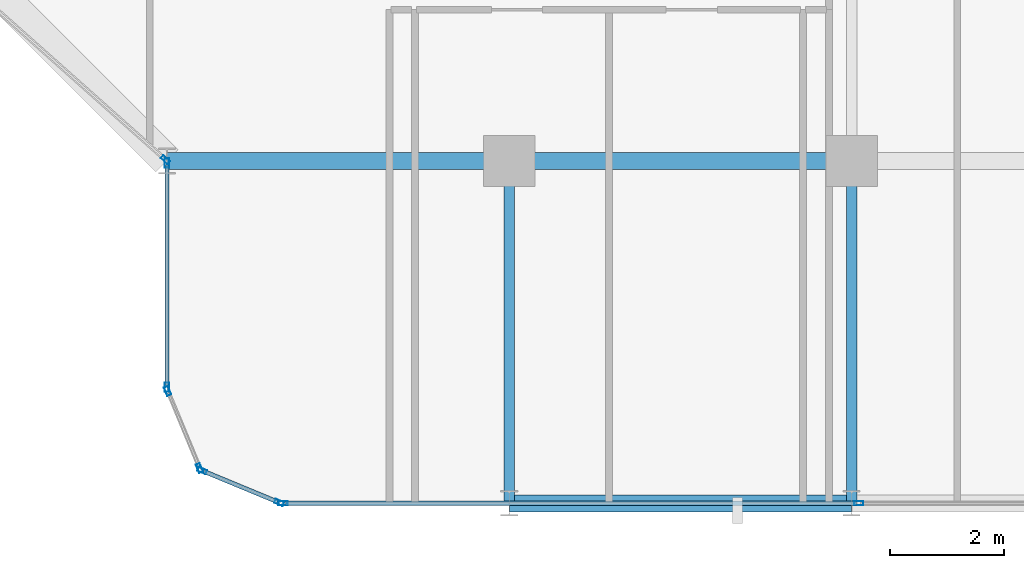
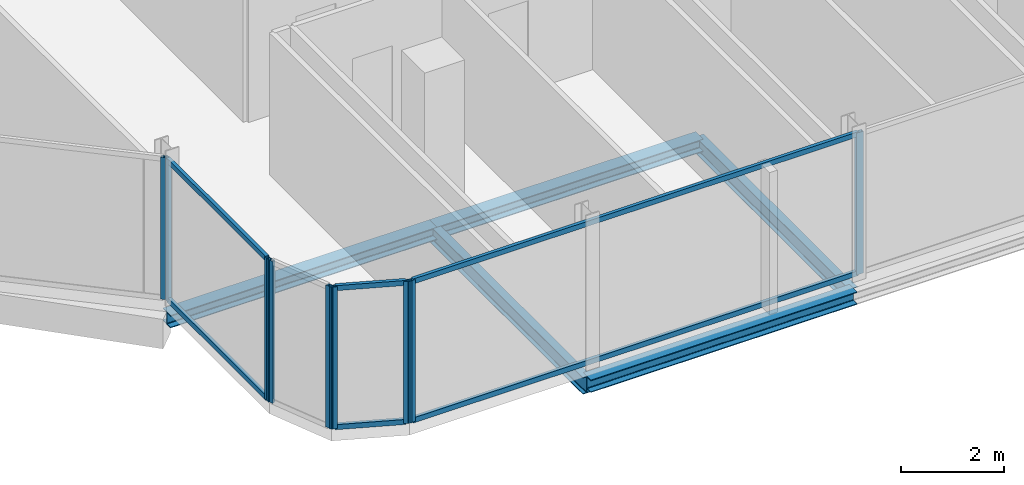
# One storey, part 6 of 29: 15 members, 5 beams, 5 elements without a shape of their own.
"""IFC4 building model written with IfcOpenShell, lengths in metres."""

from ifc_helpers import new_model, si_unit, direction, frame, origin, origin_2d, place, context, subcontext, project, spatial, hollow_rectangle, i_section, extrude, material, layer, layer_set, material_profile, profile_set, type_object, element, aggregate, save


model = new_model("IFC4")

# Units and contexts
model_context = context("Model", 3, precision=1e-05, world=origin(), true_north=direction((0.0, 1.0)))
body_context = subcontext(model_context, "Body", "Model", "MODEL_VIEW")
ifc_project = project(units=[si_unit("LENGTHUNIT", "METRE"), si_unit("AREAUNIT", "SQUARE_METRE"), si_unit("VOLUMEUNIT", "CUBIC_METRE"), si_unit("PLANEANGLEUNIT", "RADIAN"), si_unit("MASSUNIT", "GRAM", prefix="KILO")], contexts=[model_context])

# Site, building, storey
site_placement = place(None, origin())
site = spatial("IfcSite", under=ifc_project, at=site_placement, CompositionType="ELEMENT")
building_placement = place(site_placement, origin())
building = spatial("IfcBuilding", under=site, at=building_placement, Name="Keshet Zoharim Tower", CompositionType="ELEMENT")
storey_placement = place(building_placement, frame((0.0, 0.0, 180.199951171875)))
storey = spatial("IfcBuildingStorey", under=building, at=storey_placement, Name="L44", CompositionType="ELEMENT", Elevation=180.199951171875)

# Beams
ifc_material_1 = material(Name="Steel S355", Category="steel")
ifc_material_profile_1 = material_profile(ifc_material_1, i_section(OverallWidth=0.300048828125, OverallDepth=0.300048828125, WebThickness=0.010986328125, FlangeThickness=0.01904296875, FilletRadius=0.027099609375, at=origin_2d()), Name="HEB300")
ifc_profile_set_1 = profile_set([ifc_material_profile_1], Name="Steel S355")
beam_type_1 = type_object("IfcBeamType", Name="BM-PRI-HB300", PredefinedType="BEAM", material=ifc_profile_set_1)
for number, where, z_axis, x_axis, name in (
    (1, (27.0, 0.699951171875, -0.4599609375), (1.0, 0.0, 0.0), (0.0, 1.0, 0.0), "L44 Primary Girder X-001"),
    (2, (21.0, 6.699951171875, -0.4599609375), (1.0, 0.0, 0.0), (0.0, 1.0, 0.0), "L44 Primary Girder X-005"),
    (3, (27.0, 6.699951171875, -0.4599609375), (1.0, 0.0, 0.0), (0.0, 1.0, 0.0), "L44 Primary Girder X-006"),
):
    element("IfcBeam", number, at=place(storey_placement, frame(where, z_axis=z_axis, x_axis=x_axis)), inside=storey, type_object=beam_type_1, Name=name, PredefinedType="BEAM", context=body_context, shape_type="SweptSolid", body=[
        extrude(i_section(OverallWidth=0.300048828125, OverallDepth=0.300048828125, WebThickness=0.010986328125, FlangeThickness=0.01904296875, FilletRadius=0.027099609375, at=origin_2d()), origin(), (0.0, 0.0, 1.0), 6.0),
    ])
ifc_material_profile_2 = material_profile(ifc_material_1, i_section(OverallWidth=0.179931640625, OverallDepth=0.39990234375, WebThickness=0.008544921875, FlangeThickness=0.013427734375, FilletRadius=0.02099609375, at=origin_2d()), Name="IPE400")
ifc_profile_set_2 = profile_set([ifc_material_profile_2], Name="Steel S355")
beam_type_2 = type_object("IfcBeamType", Name="BM-PRI-IP400", PredefinedType="BEAM", material=ifc_profile_set_2)
for number, where, z_axis, x_axis, name in (
    (4, (27.0, 0.699951171875, -0.510009765625), (0.0, 1.0, 0.0), (-1.0, 0.0, 0.0), "L44 Primary Girder Y-004"),
    (5, (33.0, 0.699951171875, -0.510009765625), (0.0, 1.0, 0.0), (-1.0, 0.0, 0.0), "L44 Primary Girder Y-005"),
):
    element("IfcBeam", number, at=place(storey_placement, frame(where, z_axis=z_axis, x_axis=x_axis)), inside=storey, type_object=beam_type_2, Name=name, PredefinedType="BEAM", context=body_context, shape_type="SweptSolid", body=[
        extrude(i_section(OverallWidth=0.179931640625, OverallDepth=0.39990234375, WebThickness=0.008544921875, FlangeThickness=0.013427734375, FilletRadius=0.02099609375, at=origin_2d()), origin(), (0.0, 0.0, 1.0), 6.0),
    ])

# Curtain wall, members
ifc_material_2 = material(Name="Aluminium 6063-T6", Category="aluminium")
ifc_layer = layer(ifc_material_2, 0.139892578125)
ifc_layer_set = layer_set([ifc_layer], Name="Aluminium 6063-T6")
curtain_wall_type = type_object("IfcCurtainWallType", Name="CW-SYS-05", PredefinedType="NOTDEFINED", material=ifc_layer_set)
curtain_wall_1_placement = place(storey_placement, origin())
curtain_wall_1 = element("IfcCurtainWall", 6, at=curtain_wall_1_placement, inside=storey, type_object=curtain_wall_type, Name="L44 Unitised Curtain Wall 06 Part 3", PredefinedType="NOTDEFINED")
ifc_material_profile_3 = material_profile(ifc_material_2, hollow_rectangle(XDim=0.074951171875, YDim=0.159912109375, WallThickness=0.00390625, at=origin_2d()), Name="MUL-75x160")
ifc_profile_set_3 = profile_set([ifc_material_profile_3], Name="Aluminium 6063-T6")
member_type_1 = type_object("IfcMemberType", Name="CWM-M15", PredefinedType="MULLION", material=ifc_profile_set_3)
member_1_placement = place(storey_placement, frame((33.1259765625, 0.699951171875, 0.0), z_axis=(0.0, 0.0, 1.0), x_axis=(0.0, -1.0, 0.0)))
member_1 = element("IfcMember", 7, at=member_1_placement, type_object=member_type_1, Name="CW-05 mullion 2", PredefinedType="MULLION", context=body_context, shape_type="SweptSolid", body=[
    extrude(hollow_rectangle(XDim=0.074951171875, YDim=0.159912109375, WallThickness=0.00390625, at=origin_2d()), origin(), (0.0, 0.0, 1.0), 3.380126953125),
])
member_2_placement = place(storey_placement, frame((23.034912109375, 0.699951171875, 0.0), z_axis=(0.0, 0.0, 1.0), x_axis=(0.0, -1.0, 0.0)))
member_2 = element("IfcMember", 8, at=member_2_placement, type_object=member_type_1, Name="CW-05 mullion 3", PredefinedType="MULLION", context=body_context, shape_type="SweptSolid", body=[
    extrude(hollow_rectangle(XDim=0.074951171875, YDim=0.159912109375, WallThickness=0.00390625, at=origin_2d()), origin(), (0.0, 0.0, 1.0), 3.380126953125),
])

curtain_wall_2_placement = place(storey_placement, origin())
curtain_wall_2 = element("IfcCurtainWall", 9, at=curtain_wall_2_placement, inside=storey, type_object=curtain_wall_type, Name="L44 Unitised Curtain Wall 07", PredefinedType="NOTDEFINED")
member_3_placement = place(storey_placement, frame((22.9677734375, 0.71337890625, 0.0), z_axis=(0.0, 0.0, 1.0), x_axis=(-0.382851849847, -0.92380975372, 0.0)))
member_3 = element("IfcMember", 10, at=member_3_placement, type_object=member_type_1, Name="CW-05 mullion 1", PredefinedType="MULLION", context=body_context, shape_type="SweptSolid", body=[
    extrude(hollow_rectangle(XDim=0.074951171875, YDim=0.159912109375, WallThickness=0.00390625, at=origin_2d()), origin(), (0.0, 0.0, 1.0), 3.380126953125),
])
member_4_placement = place(storey_placement, frame((21.618408203125, 1.272705078125, 0.0), z_axis=(0.0, 0.0, 1.0), x_axis=(-0.382851849847, -0.92380975372, 0.0)))
member_4 = element("IfcMember", 11, at=member_4_placement, type_object=member_type_1, Name="CW-05 mullion 2", PredefinedType="MULLION", context=body_context, shape_type="SweptSolid", body=[
    extrude(hollow_rectangle(XDim=0.074951171875, YDim=0.159912109375, WallThickness=0.00390625, at=origin_2d()), origin(), (0.0, 0.0, 1.0), 3.380126953125),
])

curtain_wall_3_placement = place(storey_placement, origin())
curtain_wall_3 = element("IfcCurtainWall", 12, at=curtain_wall_3_placement, inside=storey, type_object=curtain_wall_type, Name="L44 Unitised Curtain Wall 08", PredefinedType="NOTDEFINED")
member_5_placement = place(storey_placement, frame((21.572509765625, 1.318359375, 0.0), z_axis=(0.0, 0.0, 1.0), x_axis=(-0.92380975372, -0.382851849847, 0.0)))
member_5 = element("IfcMember", 13, at=member_5_placement, type_object=member_type_1, Name="CW-05 mullion 1", PredefinedType="MULLION", context=body_context, shape_type="SweptSolid", body=[
    extrude(hollow_rectangle(XDim=0.074951171875, YDim=0.159912109375, WallThickness=0.00390625, at=origin_2d()), origin(), (0.0, 0.0, 1.0), 3.380126953125),
])
member_6_placement = place(storey_placement, frame((21.013427734375, 2.667724609375, 0.0), z_axis=(0.0, 0.0, 1.0), x_axis=(-0.92380975372, -0.382851849847, 0.0)))
member_6 = element("IfcMember", 14, at=member_6_placement, type_object=member_type_1, Name="CW-05 mullion 2", PredefinedType="MULLION", context=body_context, shape_type="SweptSolid", body=[
    extrude(hollow_rectangle(XDim=0.074951171875, YDim=0.159912109375, WallThickness=0.00390625, at=origin_2d()), origin(), (0.0, 0.0, 1.0), 3.380126953125),
])
aggregate(curtain_wall_3, [member_5, member_6])

curtain_wall_4_placement = place(storey_placement, origin())
curtain_wall_4 = element("IfcCurtainWall", 15, at=curtain_wall_4_placement, inside=storey, type_object=curtain_wall_type, Name="L44 Unitised Curtain Wall 09", PredefinedType="NOTDEFINED")
member_7_placement = place(storey_placement, frame((21.0, 2.735107421875, 0.0), z_axis=(0.0, 0.0, 1.0), x_axis=(-1.0, 0.0, 0.0)))
member_7 = element("IfcMember", 16, at=member_7_placement, type_object=member_type_1, Name="CW-05 mullion 1", PredefinedType="MULLION", context=body_context, shape_type="SweptSolid", body=[
    extrude(hollow_rectangle(XDim=0.074951171875, YDim=0.159912109375, WallThickness=0.00390625, at=origin_2d()), origin(), (0.0, 0.0, 1.0), 3.380126953125),
])
member_8_placement = place(storey_placement, frame((21.0, 6.6650390625, 0.0), z_axis=(0.0, 0.0, 1.0), x_axis=(-1.0, 0.0, 0.0)))
member_8 = element("IfcMember", 17, at=member_8_placement, type_object=member_type_1, Name="CW-05 mullion 2", PredefinedType="MULLION", context=body_context, shape_type="SweptSolid", body=[
    extrude(hollow_rectangle(XDim=0.074951171875, YDim=0.159912109375, WallThickness=0.00390625, at=origin_2d()), origin(), (0.0, 0.0, 1.0), 3.380126953125),
])

# Curtain wall, member
curtain_wall_5_placement = place(storey_placement, origin())
curtain_wall_5 = element("IfcCurtainWall", 18, at=curtain_wall_5_placement, inside=storey, type_object=curtain_wall_type, Name="L44 Unitised Curtain Wall 10", PredefinedType="NOTDEFINED")
member_9_placement = place(storey_placement, frame((20.973876953125, 6.72314453125, 0.0), z_axis=(0.0, 0.0, 1.0), x_axis=(-0.664361574302, -0.747411331591, 0.0)))
member_9 = element("IfcMember", 19, at=member_9_placement, type_object=member_type_1, Name="CW-05 mullion 1", PredefinedType="MULLION", context=body_context, shape_type="SweptSolid", body=[
    extrude(hollow_rectangle(XDim=0.074951171875, YDim=0.159912109375, WallThickness=0.00390625, at=origin_2d()), origin(), (0.0, 0.0, 1.0), 3.380126953125),
])
aggregate(curtain_wall_5, [member_9])

# Member
ifc_material_profile_4 = material_profile(ifc_material_2, hollow_rectangle(XDim=0.074951171875, YDim=0.1201171875, WallThickness=0.00390625, at=origin_2d()), Name="TRN-75x120")
ifc_profile_set_4 = profile_set([ifc_material_profile_4], Name="Aluminium 6063-T6")
member_type_2 = type_object("IfcMemberType", Name="CWT-T12", PredefinedType="USERDEFINED", material=ifc_profile_set_4)
member_10_placement = place(storey_placement, frame((33.091064453125, 0.699951171875, 0.03515625), z_axis=(-1.0, 0.0, 0.0), x_axis=(0.0, -1.0, 0.0)))
member_10 = element("IfcMember", 20, at=member_10_placement, type_object=member_type_2, Name="CW-05 transom 2.1", ObjectType="TRANSOM", PredefinedType="USERDEFINED", context=body_context, shape_type="SweptSolid", body=[
    extrude(hollow_rectangle(XDim=0.074951171875, YDim=0.1201171875, WallThickness=0.00390625, at=origin_2d()), origin(), (0.0, 0.0, 1.0), 10.02099609375),
])

member_11_placement = place(storey_placement, frame((33.091064453125, 0.699951171875, 3.344970703125), z_axis=(-1.0, 0.0, 0.0), x_axis=(0.0, -1.0, 0.0)))
member_11 = element("IfcMember", 21, at=member_11_placement, type_object=member_type_2, Name="CW-05 transom 2.2", ObjectType="TRANSOM", PredefinedType="USERDEFINED", context=body_context, shape_type="SweptSolid", body=[
    extrude(hollow_rectangle(XDim=0.074951171875, YDim=0.1201171875, WallThickness=0.00390625, at=origin_2d()), origin(), (0.0, 0.0, 1.0), 10.02099609375),
])

aggregate(curtain_wall_1, [member_1, member_2, member_10, member_11])

member_12_placement = place(storey_placement, frame((22.935302734375, 0.726806640625, 0.03515625), z_axis=(-0.92379209995, 0.382894445076, 0.0), x_axis=(-0.382894445076, -0.92379209995, 0.0)))
member_12 = element("IfcMember", 22, at=member_12_placement, type_object=member_type_2, Name="CW-05 transom 1.1", ObjectType="TRANSOM", PredefinedType="USERDEFINED", context=body_context, shape_type="SweptSolid", body=[
    extrude(hollow_rectangle(XDim=0.074951171875, YDim=0.1201171875, WallThickness=0.00390625, at=origin_2d()), origin(), (0.0, 0.0, 1.0), 1.390625),
])

member_13_placement = place(storey_placement, frame((22.935302734375, 0.726806640625, 3.344970703125), z_axis=(-0.92379209995, 0.382894445076, 0.0), x_axis=(-0.382894445076, -0.92379209995, 0.0)))
member_13 = element("IfcMember", 23, at=member_13_placement, type_object=member_type_2, Name="CW-05 transom 1.2", ObjectType="TRANSOM", PredefinedType="USERDEFINED", context=body_context, shape_type="SweptSolid", body=[
    extrude(hollow_rectangle(XDim=0.074951171875, YDim=0.1201171875, WallThickness=0.00390625, at=origin_2d()), origin(), (0.0, 0.0, 1.0), 1.390625),
])

aggregate(curtain_wall_2, [member_3, member_4, member_12, member_13])

member_14_placement = place(storey_placement, frame((21.0, 2.77001953125, 0.03515625), z_axis=(0.0, 1.0, 0.0), x_axis=(-1.0, 0.0, 0.0)))
member_14 = element("IfcMember", 24, at=member_14_placement, type_object=member_type_2, Name="CW-05 transom 1.1", ObjectType="TRANSOM", PredefinedType="USERDEFINED", context=body_context, shape_type="SweptSolid", body=[
    extrude(hollow_rectangle(XDim=0.074951171875, YDim=0.1201171875, WallThickness=0.00390625, at=origin_2d()), origin(), (0.0, 0.0, 1.0), 3.85986328125),
])

member_15_placement = place(storey_placement, frame((21.0, 2.77001953125, 3.344970703125), z_axis=(0.0, 1.0, 0.0), x_axis=(-1.0, 0.0, 0.0)))
member_15 = element("IfcMember", 25, at=member_15_placement, type_object=member_type_2, Name="CW-05 transom 1.2", ObjectType="TRANSOM", PredefinedType="USERDEFINED", context=body_context, shape_type="SweptSolid", body=[
    extrude(hollow_rectangle(XDim=0.074951171875, YDim=0.1201171875, WallThickness=0.00390625, at=origin_2d()), origin(), (0.0, 0.0, 1.0), 3.85986328125),
])

aggregate(curtain_wall_4, [member_7, member_8, member_14, member_15])

save(model, "model.ifc")
